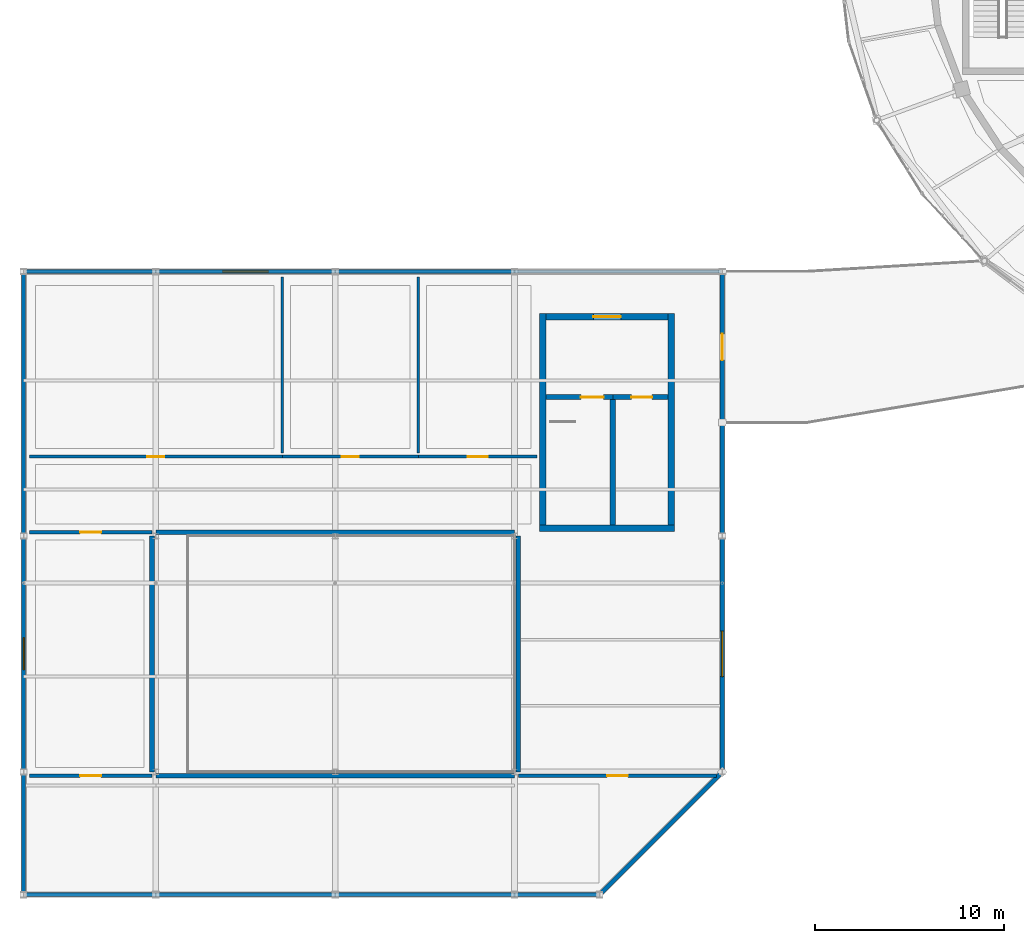
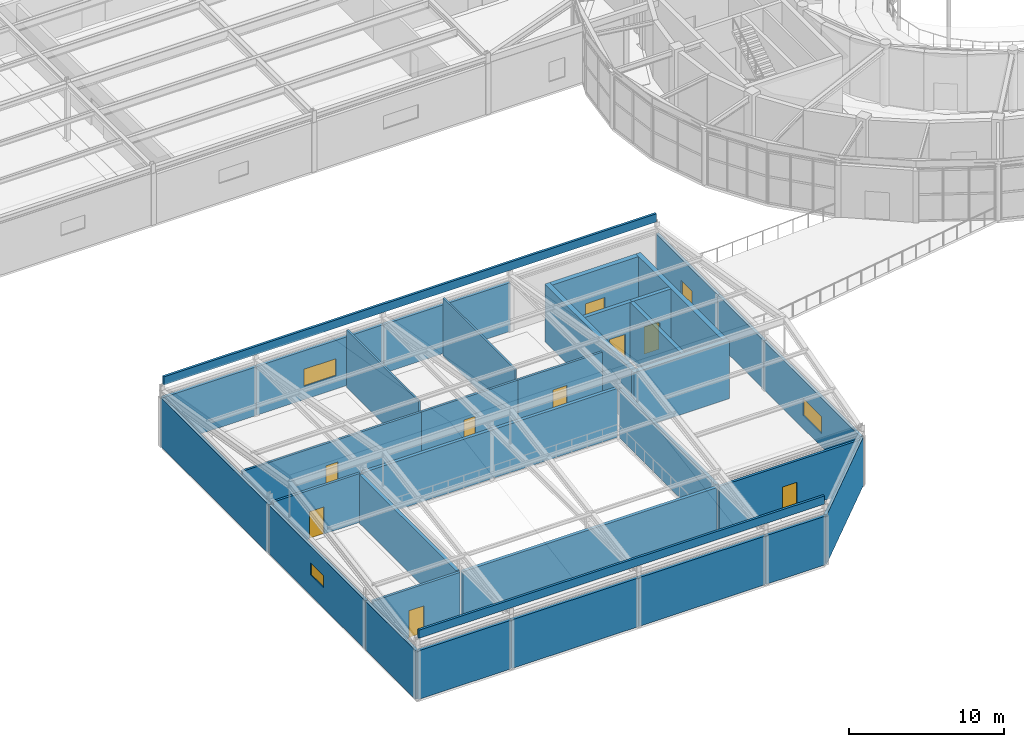
# One storey, part 87 of 108: 35 walls, 10 doors, 3 windows, 13 openings.
"""IFC4 building model written with IfcOpenShell, lengths in metres."""

from ifc_helpers import new_model, si_unit, direction, frame, frame_2d, origin, place, context, subcontext, project, spatial, rectangle, extrude, material, layer, layer_set, type_object, element, fill, save


model = new_model("IFC4")

# Units and contexts
model_context = context("Model", 3, precision=1e-05, world=origin(), true_north=direction((0.0, 1.0)))
body_context = subcontext(model_context, "Body", "Model", "MODEL_VIEW")
ifc_project = project(units=[si_unit("LENGTHUNIT", "METRE"), si_unit("AREAUNIT", "SQUARE_METRE"), si_unit("VOLUMEUNIT", "CUBIC_METRE"), si_unit("PLANEANGLEUNIT", "RADIAN"), si_unit("MASSUNIT", "GRAM", prefix="KILO")], contexts=[model_context])

# Site, building, storey
site_placement = place(None, origin())
site = spatial("IfcSite", under=ifc_project, at=site_placement, CompositionType="ELEMENT")
building_placement = place(site_placement, origin())
building = spatial("IfcBuilding", under=site, at=building_placement, Name="Tarnveldt Headland Concert Hall", CompositionType="ELEMENT")
storey_placement = place(building_placement, frame((0.0, 0.0, 9.60009765625)))
storey = spatial("IfcBuildingStorey", under=building, at=storey_placement, Name="L02", CompositionType="ELEMENT", Elevation=9.60009765625)

# Wall
ifc_material_1 = material(Name="Concrete C40/50", Category="concrete")
ifc_layer_1 = layer(ifc_material_1, 0.35009765625, Name="Concrete C40/50", Category="concrete")
ifc_layer_set_1 = layer_set([ifc_layer_1], Name="Concrete C40/50")
wall_type_1 = type_object("IfcWallType", Name="WL-CR350", PredefinedType="SHEAR", material=ifc_layer_set_1)
wall_1_placement = place(storey_placement, frame((34.824951171875, 24.39990234375, 0.0), z_axis=(0.0, 0.0, 1.0), x_axis=(1.0, 0.0, 0.0)))
element("IfcWall", 1, at=wall_1_placement, inside=storey, type_object=wall_type_1, Name="Core C5 south shear wall L02", PredefinedType="SHEAR", context=body_context, shape_type="SweptSolid", body=[
    extrude(rectangle(XDim=7.150146484375, YDim=0.35009765625, at=frame_2d((3.5751953125, 0.0))), origin(), (0.0, 0.0, 1.0), 4.5498046875),
])

# Wall, opening, door
wall_2_placement = place(storey_placement, frame((35.175048828125, 35.60009765625, 0.0), z_axis=(0.0, 0.0, 1.0), x_axis=(1.0, 0.0, 0.0)))
wall_2 = element("IfcWall", 2, at=wall_2_placement, inside=storey, type_object=wall_type_1, Name="Core C5 north shear wall L02", PredefinedType="SHEAR", context=body_context, shape_type="SweptSolid", body=[
    extrude(rectangle(XDim=6.449951171875, YDim=0.35009765625, at=frame_2d((3.22509765625, 0.0))), origin(), (0.0, 0.0, 1.0), 4.5498046875),
])
opening_1_placement = place(wall_2_placement, frame((2.5, 0.0, 0.0)))
opening_1 = element("IfcOpeningElement", 3, at=opening_1_placement, cuts=wall_2, Name="Opening LBD-C5-L02", PredefinedType="OPENING", context=body_context, shape_type="SweptSolid", body=[
    extrude(rectangle(XDim=1.449951171875, YDim=2.199951171875, at=frame_2d((0.72509765625, 1.10009765625))), frame((0.0, 0.18505859375, 0.0), z_axis=(0.0, -1.0, 0.0), x_axis=(1.0, 0.0, 0.0)), (0.0, 0.0, 1.0), 0.3701171875),
])
ifc_material_2 = material(Name="Galvanised painted steel sheet", Category="steel")
door_type_1 = type_object("IfcDoorType", Name="DR-LB145", OperationType="NOTDEFINED", PredefinedType="DOOR", material=ifc_material_2)
door_1_placement = place(opening_1_placement, origin())
door_1 = element("IfcDoor", 4, at=door_1_placement, inside=storey, type_object=door_type_1, Name="Core C5 lobby entrance door L02", OperationType="SINGLE_SWING_LEFT", OverallHeight=2.199951171875, OverallWidth=1.449951171875, PredefinedType="DOOR", context=body_context, shape_type="SweptSolid", body=[
    extrude(rectangle(XDim=1.449951171875, YDim=2.199951171875, at=frame_2d((0.72509765625, 1.10009765625))), frame((0.0, 0.02490234375, 0.0), z_axis=(0.0, -1.0, 0.0), x_axis=(1.0, 0.0, 0.0)), (0.0, 0.0, 1.0), 0.050048828125),
])
fill(opening_1, door_1)

# Walls
for number, where, z_axis, x_axis, name in (
    (5, (35.0, 24.574951171875, 0.0), (0.0, 0.0, 1.0), (0.0, 1.0, 0.0), "Core C5 west shear wall L02"),
    (6, (41.800048828125, 24.574951171875, 0.0), (0.0, 0.0, 1.0), (0.0, 1.0, 0.0), "Core C5 east shear wall L02"),
):
    element("IfcWall", number, at=place(storey_placement, frame(where, z_axis=z_axis, x_axis=x_axis)), inside=storey, type_object=wall_type_1, Name=name, PredefinedType="SHEAR", context=body_context, shape_type="SweptSolid", body=[
        extrude(rectangle(XDim=11.199951171875, YDim=0.35009765625, at=frame_2d((5.60009765625, 0.0))), origin(), (0.0, 0.0, 1.0), 4.5498046875),
    ])
ifc_material_3 = material(Name="Coral-toned precast concrete C40/50", Category="concrete")
ifc_layer_2 = layer(ifc_material_3, 0.219970703125, Name="Coral-toned precast concrete C40/50", Category="concrete")
ifc_layer_set_2 = layer_set([ifc_layer_2], Name="Coral-toned precast concrete C40/50")
wall_type_2 = type_object("IfcWallType", Name="WL-EX220", PredefinedType="SOLIDWALL", material=ifc_layer_set_2)
wall_3_placement = place(storey_placement, frame((14.47998046875, 5.0, 0.0), z_axis=(0.0, 0.0, 1.0), x_axis=(-1.0, 0.0, 0.0)))
element("IfcWall", 7, at=wall_3_placement, inside=storey, type_object=wall_type_2, Name="External precast wall L02-226", PredefinedType="SOLIDWALL", context=body_context, shape_type="SweptSolid", body=[
    extrude(rectangle(XDim=6.9599609375, YDim=0.219970703125, at=frame_2d((3.47998046875, 0.0))), origin(), (0.0, 0.0, 1.0), 3.847900390625),
])
for number, where, z_axis, x_axis, name in (
    (8, (23.97998046875, 5.0, 0.0), (0.0, 0.0, 1.0), (-1.0, 0.0, 0.0), "External precast wall L02-227"),
    (9, (33.47998046875, 5.0, 0.0), (0.0, 0.0, 1.0), (-1.0, 0.0, 0.0), "External precast wall L02-228"),
):
    element("IfcWall", number, at=place(storey_placement, frame(where, z_axis=z_axis, x_axis=x_axis)), inside=storey, type_object=wall_type_2, Name=name, PredefinedType="SOLIDWALL", context=body_context, shape_type="SweptSolid", body=[
        extrude(rectangle(XDim=9.4599609375, YDim=0.219970703125, at=frame_2d((4.72998046875, 0.0))), origin(), (0.0, 0.0, 1.0), 3.847900390625),
    ])
wall_4_placement = place(storey_placement, frame((37.97998046875, 5.0, 0.0), z_axis=(0.0, 0.0, 1.0), x_axis=(-1.0, 0.0, 0.0)))
element("IfcWall", 10, at=wall_4_placement, inside=storey, type_object=wall_type_2, Name="External precast wall L02-229", PredefinedType="SOLIDWALL", context=body_context, shape_type="SweptSolid", body=[
    extrude(rectangle(XDim=4.4599609375, YDim=0.219970703125, at=frame_2d((2.22998046875, 0.0))), origin(), (0.0, 0.0, 1.0), 3.847900390625),
])
wall_5_placement = place(storey_placement, frame((44.48583984375, 11.48583984375, 0.0), z_axis=(0.0, 0.0, 1.0), x_axis=(-0.707106781187, -0.707106781187, 0.0)))
element("IfcWall", 11, at=wall_5_placement, inside=storey, type_object=wall_type_2, Name="External precast wall L02-230", PredefinedType="SOLIDWALL", context=body_context, shape_type="SweptSolid", body=[
    extrude(rectangle(XDim=9.15234375, YDim=0.219970703125, at=frame_2d((4.576171875, 0.0))), origin(), (0.0, 0.0, 1.0), 3.847900390625),
])

# Wall, opening, window
wall_6_placement = place(storey_placement, frame((44.5, 23.97998046875, 0.0), z_axis=(0.0, 0.0, 1.0), x_axis=(0.0, -1.0, 0.0)))
wall_6 = element("IfcWall", 12, at=wall_6_placement, inside=storey, type_object=wall_type_2, Name="External precast wall L02-231", PredefinedType="SOLIDWALL", context=body_context, shape_type="SweptSolid", body=[
    extrude(rectangle(XDim=12.4599609375, YDim=0.219970703125, at=frame_2d((6.22998046875, 0.0))), origin(), (0.0, 0.0, 1.0), 3.847900390625),
])
opening_2_placement = place(wall_6_placement, frame((5.030029296875, 0.0, 1.050048828125)))
opening_2 = element("IfcOpeningElement", 13, at=opening_2_placement, cuts=wall_6, Name="Opening W-P103", PredefinedType="OPENING", context=body_context, shape_type="SweptSolid", body=[
    extrude(rectangle(XDim=2.39990234375, YDim=1.35009765625, at=frame_2d((1.199951171875, 0.675048828125))), frame((0.0, 0.119873046875, 0.0), z_axis=(0.0, -1.0, 0.0), x_axis=(1.0, 0.0, 0.0)), (0.0, 0.0, 1.0), 0.239990234375),
])
ifc_material_4 = material(Name="Acoustic laminated low-iron double glazing", Category="glass")
window_type_1 = type_object("IfcWindowType", Name="WN-20", PartitioningType="SINGLE_PANEL", PredefinedType="WINDOW", material=ifc_material_4)
window_1_placement = place(opening_2_placement, origin())
window_1 = element("IfcWindow", 14, at=window_1_placement, inside=storey, type_object=window_type_1, Name="Chamber pavilion window L02-E2", OverallHeight=1.35009765625, OverallWidth=2.39990234375, PartitioningType="SINGLE_PANEL", PredefinedType="WINDOW", context=body_context, shape_type="SweptSolid", body=[
    extrude(rectangle(XDim=2.39990234375, YDim=1.35009765625, at=frame_2d((1.199951171875, 0.675048828125))), frame((0.0, 0.030029296875, 0.0), z_axis=(0.0, -1.0, 0.0), x_axis=(1.0, 0.0, 0.0)), (0.0, 0.0, 1.0), 0.06005859375),
])
fill(opening_2, window_1)

# Wall
wall_7_placement = place(storey_placement, frame((44.5, 29.97998046875, 0.0), z_axis=(0.0, 0.0, 1.0), x_axis=(0.0, -1.0, 0.0)))
element("IfcWall", 15, at=wall_7_placement, inside=storey, type_object=wall_type_2, Name="External precast wall L02-232", PredefinedType="SOLIDWALL", context=body_context, shape_type="SweptSolid", body=[
    extrude(rectangle(XDim=5.9599609375, YDim=0.219970703125, at=frame_2d((2.97998046875, 0.0))), origin(), (0.0, 0.0, 1.0), 3.847900390625),
])

# Wall, opening, door
wall_8_placement = place(storey_placement, frame((44.5, 37.97998046875, 0.0), z_axis=(0.0, 0.0, 1.0), x_axis=(0.0, -1.0, 0.0)))
wall_8 = element("IfcWall", 16, at=wall_8_placement, inside=storey, type_object=wall_type_2, Name="External precast wall L02-233", PredefinedType="SOLIDWALL", context=body_context, shape_type="SweptSolid", body=[
    extrude(rectangle(XDim=7.9599609375, YDim=0.219970703125, at=frame_2d((3.97998046875, 0.0))), origin(), (0.0, 0.0, 1.0), 3.847900390625),
])
opening_3_placement = place(wall_8_placement, frame((3.280029296875, 0.0, 0.0)))
opening_3 = element("IfcOpeningElement", 17, at=opening_3_placement, cuts=wall_8, Name="Opening TD-04", PredefinedType="OPENING", context=body_context, shape_type="SweptSolid", body=[
    extrude(rectangle(XDim=1.39990234375, YDim=2.14990234375, at=frame_2d((0.699951171875, 1.074951171875))), frame((0.0, 0.119873046875, 0.0), z_axis=(0.0, -1.0, 0.0), x_axis=(1.0, 0.0, 0.0)), (0.0, 0.0, 1.0), 0.239990234375),
])
ifc_material_5 = material(Name="Marine-anodised aluminium EN AW-6063-T6", Category="aluminium")
door_type_2 = type_object("IfcDoorType", Name="DR-TR140", OperationType="NOTDEFINED", PredefinedType="DOOR", material=ifc_material_5)
door_2_placement = place(opening_3_placement, origin())
door_2 = element("IfcDoor", 18, at=door_2_placement, inside=storey, type_object=door_type_2, Name="Chamber link terrace west door", OperationType="SINGLE_SWING_RIGHT", OverallHeight=2.14990234375, OverallWidth=1.39990234375, PredefinedType="DOOR", context=body_context, shape_type="SweptSolid", body=[
    extrude(rectangle(XDim=1.39990234375, YDim=2.14990234375, at=frame_2d((0.699951171875, 1.074951171875))), frame((0.0, 0.02490234375, 0.0), z_axis=(0.0, -1.0, 0.0), x_axis=(1.0, 0.0, 0.0)), (0.0, 0.0, 1.0), 0.050048828125),
])
fill(opening_3, door_2)

# Wall
wall_9_placement = place(storey_placement, frame((24.02001953125, 38.0, 0.0), z_axis=(0.0, 0.0, 1.0), x_axis=(1.0, 0.0, 0.0)))
element("IfcWall", 19, at=wall_9_placement, inside=storey, type_object=wall_type_2, Name="External precast wall L02-235", PredefinedType="SOLIDWALL", context=body_context, shape_type="SweptSolid", body=[
    extrude(rectangle(XDim=9.4599609375, YDim=0.219970703125, at=frame_2d((4.72998046875, 0.0))), origin(), (0.0, 0.0, 1.0), 3.847900390625),
])

# Wall, opening, window
wall_10_placement = place(storey_placement, frame((14.52001953125, 38.0, 0.0), z_axis=(0.0, 0.0, 1.0), x_axis=(1.0, 0.0, 0.0)))
wall_10 = element("IfcWall", 20, at=wall_10_placement, inside=storey, type_object=wall_type_2, Name="External precast wall L02-236", PredefinedType="SOLIDWALL", context=body_context, shape_type="SweptSolid", body=[
    extrude(rectangle(XDim=9.4599609375, YDim=0.219970703125, at=frame_2d((4.72998046875, 0.0))), origin(), (0.0, 0.0, 1.0), 3.847900390625),
])
opening_4_placement = place(wall_10_placement, frame((3.530029296875, 0.0, 1.050048828125)))
opening_4 = element("IfcOpeningElement", 21, at=opening_4_placement, cuts=wall_10, Name="Opening W-P104", PredefinedType="OPENING", context=body_context, shape_type="SweptSolid", body=[
    extrude(rectangle(XDim=2.39990234375, YDim=1.35009765625, at=frame_2d((1.199951171875, 0.675048828125))), frame((0.0, 0.119873046875, 0.0), z_axis=(0.0, -1.0, 0.0), x_axis=(1.0, 0.0, 0.0)), (0.0, 0.0, 1.0), 0.239990234375),
])
window_2_placement = place(opening_4_placement, origin())
window_2 = element("IfcWindow", 22, at=window_2_placement, inside=storey, type_object=window_type_1, Name="Chamber pavilion window L02-N3", OverallHeight=1.35009765625, OverallWidth=2.39990234375, PartitioningType="SINGLE_PANEL", PredefinedType="WINDOW", context=body_context, shape_type="SweptSolid", body=[
    extrude(rectangle(XDim=2.39990234375, YDim=1.35009765625, at=frame_2d((1.199951171875, 0.675048828125))), frame((0.0, 0.030029296875, 0.0), z_axis=(0.0, -1.0, 0.0), x_axis=(1.0, 0.0, 0.0)), (0.0, 0.0, 1.0), 0.06005859375),
])
fill(opening_4, window_2)

# Walls
wall_11_placement = place(storey_placement, frame((7.52001953125, 38.0, 0.0), z_axis=(0.0, 0.0, 1.0), x_axis=(1.0, 0.0, 0.0)))
element("IfcWall", 23, at=wall_11_placement, inside=storey, type_object=wall_type_2, Name="External precast wall L02-237", PredefinedType="SOLIDWALL", context=body_context, shape_type="SweptSolid", body=[
    extrude(rectangle(XDim=6.9599609375, YDim=0.219970703125, at=frame_2d((3.47998046875, 0.0))), origin(), (0.0, 0.0, 1.0), 3.847900390625),
])
wall_12_placement = place(storey_placement, frame((7.5, 24.02001953125, 0.0), z_axis=(0.0, 0.0, 1.0), x_axis=(0.0, 1.0, 0.0)))
element("IfcWall", 24, at=wall_12_placement, inside=storey, type_object=wall_type_2, Name="External precast wall L02-238", PredefinedType="SOLIDWALL", context=body_context, shape_type="SweptSolid", body=[
    extrude(rectangle(XDim=13.9599609375, YDim=0.219970703125, at=frame_2d((6.97998046875, 0.0))), origin(), (0.0, 0.0, 1.0), 3.847900390625),
])

# Wall, opening, window
wall_13_placement = place(storey_placement, frame((7.5, 11.52001953125, 0.0), z_axis=(0.0, 0.0, 1.0), x_axis=(0.0, 1.0, 0.0)))
wall_13 = element("IfcWall", 25, at=wall_13_placement, inside=storey, type_object=wall_type_2, Name="External precast wall L02-239", PredefinedType="SOLIDWALL", context=body_context, shape_type="SweptSolid", body=[
    extrude(rectangle(XDim=12.4599609375, YDim=0.219970703125, at=frame_2d((6.22998046875, 0.0))), origin(), (0.0, 0.0, 1.0), 3.847900390625),
])
opening_5_placement = place(wall_13_placement, frame((5.3798828125, 0.0, 1.60009765625)))
opening_5 = element("IfcOpeningElement", 26, at=opening_5_placement, cuts=wall_13, Name="Opening W-P105", PredefinedType="OPENING", context=body_context, shape_type="SweptSolid", body=[
    extrude(rectangle(XDim=1.699951171875, YDim=0.949951171875, at=frame_2d((0.85009765625, 0.47509765625))), frame((0.0, 0.119873046875, 0.0), z_axis=(0.0, -1.0, 0.0), x_axis=(1.0, 0.0, 0.0)), (0.0, 0.0, 1.0), 0.239990234375),
])
window_type_2 = type_object("IfcWindowType", Name="WN-31", PartitioningType="SINGLE_PANEL", PredefinedType="WINDOW", material=ifc_material_4)
window_3_placement = place(opening_5_placement, origin())
window_3 = element("IfcWindow", 27, at=window_3_placement, inside=storey, type_object=window_type_2, Name="Chamber pavilion window L02-W2", OverallHeight=0.949951171875, OverallWidth=1.699951171875, PartitioningType="SINGLE_PANEL", PredefinedType="WINDOW", context=body_context, shape_type="SweptSolid", body=[
    extrude(rectangle(XDim=1.699951171875, YDim=0.949951171875, at=frame_2d((0.85009765625, 0.47509765625))), frame((0.0, 0.030029296875, 0.0), z_axis=(0.0, -1.0, 0.0), x_axis=(1.0, 0.0, 0.0)), (0.0, 0.0, 1.0), 0.06005859375),
])
fill(opening_5, window_3)

# Walls
wall_14_placement = place(storey_placement, frame((7.5, 5.02001953125, 0.0), z_axis=(0.0, 0.0, 1.0), x_axis=(0.0, 1.0, 0.0)))
element("IfcWall", 28, at=wall_14_placement, inside=storey, type_object=wall_type_2, Name="External precast wall L02-240", PredefinedType="SOLIDWALL", context=body_context, shape_type="SweptSolid", body=[
    extrude(rectangle(XDim=6.4599609375, YDim=0.219970703125, at=frame_2d((3.22998046875, 0.0))), origin(), (0.0, 0.0, 1.0), 3.847900390625),
])
ifc_layer_3 = layer(ifc_material_3, 0.179931640625, Name="Coral-toned precast concrete C40/50", Category="concrete")
ifc_layer_set_3 = layer_set([ifc_layer_3], Name="Coral-toned precast concrete C40/50")
wall_type_3 = type_object("IfcWallType", Name="WL-PR180", PredefinedType="PARAPET", material=ifc_layer_set_3)
wall_15_placement = place(storey_placement, frame((7.60009765625, 5.0, 4.7998046875), z_axis=(0.0, 0.0, 1.0), x_axis=(1.0, 0.0, 0.0)))
element("IfcWall", 29, at=wall_15_placement, inside=storey, type_object=wall_type_3, Name="Roof eaves parapet 1", PredefinedType="PARAPET", context=body_context, shape_type="SweptSolid", body=[
    extrude(rectangle(XDim=30.2998046875, YDim=0.179931640625, at=frame_2d((15.14990234375, 0.0))), origin(), (0.0, 0.0, 1.0), 0.650146484375),
])
wall_16_placement = place(storey_placement, frame((7.60009765625, 38.0, 4.7998046875), z_axis=(0.0, 0.0, 1.0), x_axis=(1.0, 0.0, 0.0)))
element("IfcWall", 30, at=wall_16_placement, inside=storey, type_object=wall_type_3, Name="Roof eaves parapet 2", PredefinedType="PARAPET", context=body_context, shape_type="SweptSolid", body=[
    extrude(rectangle(XDim=36.7998046875, YDim=0.179931640625, at=frame_2d((18.39990234375, 0.0))), origin(), (0.0, 0.0, 1.0), 0.650146484375),
])
ifc_material_6 = material(Name="Acoustic multi-layer gypsum and mineral-wool partition", Category="gypsum")
ifc_layer_4 = layer(ifc_material_6, 0.135009765625, Name="Acoustic multi-layer gypsum and mineral-wool partition", Category="gypsum")
ifc_layer_set_4 = layer_set([ifc_layer_4], Name="Acoustic multi-layer gypsum and mineral-wool partition")
wall_type_4 = type_object("IfcWallType", Name="WL-PT135", PredefinedType="PARTITIONING", material=ifc_layer_set_4)
for number, where, z_axis, x_axis, name in (
    (31, (21.199951171875, 28.39990234375, 0.0), (0.0, 0.0, 1.0), (0.0, 1.0, 0.0), "Interior acoustic partition L02-45"),
    (32, (28.39990234375, 28.39990234375, 0.0), (0.0, 0.0, 1.0), (0.0, 1.0, 0.0), "Interior acoustic partition L02-46"),
):
    element("IfcWall", number, at=place(storey_placement, frame(where, z_axis=z_axis, x_axis=x_axis)), inside=storey, type_object=wall_type_4, Name=name, PredefinedType="PARTITIONING", context=body_context, shape_type="SweptSolid", body=[
        extrude(rectangle(XDim=9.300048828125, YDim=0.135009765625, at=frame_2d((4.64990234375, 0.0))), origin(), (0.0, 0.0, 1.0), 4.5439453125),
    ])

# Wall, opening, door
ifc_layer_5 = layer(ifc_material_6, 0.1650390625, Name="Acoustic multi-layer gypsum and mineral-wool partition", Category="gypsum")
ifc_layer_set_5 = layer_set([ifc_layer_5], Name="Acoustic multi-layer gypsum and mineral-wool partition")
wall_type_5 = type_object("IfcWallType", Name="WL-PT165", PredefinedType="PARTITIONING", material=ifc_layer_set_5)
wall_17_placement = place(storey_placement, frame((7.800048828125, 28.199951171875, 0.0), z_axis=(0.0, 0.0, 1.0), x_axis=(1.0, 0.0, 0.0)))
wall_17 = element("IfcWall", 33, at=wall_17_placement, inside=storey, type_object=wall_type_5, Name="Interior acoustic partition L02-42", PredefinedType="PARTITIONING", context=body_context, shape_type="SweptSolid", body=[
    extrude(rectangle(XDim=13.39990234375, YDim=0.1650390625, at=frame_2d((6.699951171875, 0.0))), origin(), (0.0, 0.0, 1.0), 3.849853515625),
])
opening_6_placement = place(wall_17_placement, frame((6.239990234375, 0.0, 0.0)))
opening_6 = element("IfcOpeningElement", 34, at=opening_6_placement, cuts=wall_17, Name="Opening D-L02-072", PredefinedType="OPENING", context=body_context, shape_type="SweptSolid", body=[
    extrude(rectangle(XDim=0.919921875, YDim=2.10009765625, at=frame_2d((0.4599609375, 1.050048828125))), frame((0.0, 0.092529296875, 0.0), z_axis=(0.0, -1.0, 0.0), x_axis=(1.0, 0.0, 0.0)), (0.0, 0.0, 1.0), 0.18505859375),
])
ifc_material_7 = material(Name="Treated East African mvule hardwood", Category="wood")
door_type_3 = type_object("IfcDoorType", Name="DR-WC092", OperationType="NOTDEFINED", PredefinedType="DOOR", material=ifc_material_7)
door_3_placement = place(opening_6_placement, origin())
door_3 = element("IfcDoor", 35, at=door_3_placement, inside=storey, type_object=door_type_3, Name="Interior room door L02-72", OperationType="SINGLE_SWING_RIGHT", OverallHeight=2.10009765625, OverallWidth=0.919921875, PredefinedType="DOOR", context=body_context, shape_type="SweptSolid", body=[
    extrude(rectangle(XDim=0.919921875, YDim=2.10009765625, at=frame_2d((0.4599609375, 1.050048828125))), frame((0.0, 0.02490234375, 0.0), z_axis=(0.0, -1.0, 0.0), x_axis=(1.0, 0.0, 0.0)), (0.0, 0.0, 1.0), 0.050048828125),
])
fill(opening_6, door_3)

wall_18_placement = place(storey_placement, frame((21.199951171875, 28.199951171875, 0.0), z_axis=(0.0, 0.0, 1.0), x_axis=(1.0, 0.0, 0.0)))
wall_18 = element("IfcWall", 36, at=wall_18_placement, inside=storey, type_object=wall_type_5, Name="Interior acoustic partition L02-43", PredefinedType="PARTITIONING", context=body_context, shape_type="SweptSolid", body=[
    extrude(rectangle(XDim=7.199951171875, YDim=0.1650390625, at=frame_2d((3.60009765625, 0.0))), origin(), (0.0, 0.0, 1.0), 3.849853515625),
])
opening_7_placement = place(wall_18_placement, frame((3.159912109375, 0.0, 0.0)))
opening_7 = element("IfcOpeningElement", 37, at=opening_7_placement, cuts=wall_18, Name="Opening D-L02-073", PredefinedType="OPENING", context=body_context, shape_type="SweptSolid", body=[
    extrude(rectangle(XDim=0.8798828125, YDim=2.10009765625, at=frame_2d((0.43994140625, 1.050048828125))), frame((0.0, 0.092529296875, 0.0), z_axis=(0.0, -1.0, 0.0), x_axis=(1.0, 0.0, 0.0)), (0.0, 0.0, 1.0), 0.18505859375),
])
door_type_4 = type_object("IfcDoorType", Name="DR-WC088", OperationType="NOTDEFINED", PredefinedType="DOOR", material=ifc_material_7)
door_4_placement = place(opening_7_placement, origin())
door_4 = element("IfcDoor", 38, at=door_4_placement, inside=storey, type_object=door_type_4, Name="Interior room door L02-73", OperationType="SINGLE_SWING_LEFT", OverallHeight=2.10009765625, OverallWidth=0.8798828125, PredefinedType="DOOR", context=body_context, shape_type="SweptSolid", body=[
    extrude(rectangle(XDim=0.8798828125, YDim=2.10009765625, at=frame_2d((0.43994140625, 1.050048828125))), frame((0.0, 0.02490234375, 0.0), z_axis=(0.0, -1.0, 0.0), x_axis=(1.0, 0.0, 0.0)), (0.0, 0.0, 1.0), 0.050048828125),
])
fill(opening_7, door_4)

wall_19_placement = place(storey_placement, frame((28.39990234375, 28.199951171875, 0.0), z_axis=(0.0, 0.0, 1.0), x_axis=(1.0, 0.0, 0.0)))
wall_19 = element("IfcWall", 39, at=wall_19_placement, inside=storey, type_object=wall_type_5, Name="Interior acoustic partition L02-44", PredefinedType="PARTITIONING", context=body_context, shape_type="SweptSolid", body=[
    extrude(rectangle(XDim=6.300048828125, YDim=0.1650390625, at=frame_2d((3.14990234375, 0.0))), origin(), (0.0, 0.0, 1.0), 3.849853515625),
])
opening_8_placement = place(wall_19_placement, frame((2.625, 0.0, 0.0)))
opening_8 = element("IfcOpeningElement", 40, at=opening_8_placement, cuts=wall_19, Name="Opening D-L02-074", PredefinedType="OPENING", context=body_context, shape_type="SweptSolid", body=[
    extrude(rectangle(XDim=1.050048828125, YDim=2.14990234375, at=frame_2d((0.52490234375, 1.074951171875))), frame((0.0, 0.092529296875, 0.0), z_axis=(0.0, -1.0, 0.0), x_axis=(1.0, 0.0, 0.0)), (0.0, 0.0, 1.0), 0.18505859375),
])
door_type_5 = type_object("IfcDoorType", Name="DR-RM105", OperationType="NOTDEFINED", PredefinedType="DOOR", material=ifc_material_7)
door_5_placement = place(opening_8_placement, origin())
door_5 = element("IfcDoor", 41, at=door_5_placement, inside=storey, type_object=door_type_5, Name="Interior room door L02-74", OperationType="SINGLE_SWING_RIGHT", OverallHeight=2.14990234375, OverallWidth=1.050048828125, PredefinedType="DOOR", context=body_context, shape_type="SweptSolid", body=[
    extrude(rectangle(XDim=1.050048828125, YDim=2.14990234375, at=frame_2d((0.52490234375, 1.074951171875))), frame((0.0, 0.02490234375, 0.0), z_axis=(0.0, -1.0, 0.0), x_axis=(1.0, 0.0, 0.0)), (0.0, 0.0, 1.0), 0.050048828125),
])
fill(opening_8, door_5)

ifc_layer_6 = layer(ifc_material_6, 0.18505859375, Name="Acoustic multi-layer gypsum and mineral-wool partition", Category="gypsum")
ifc_layer_set_6 = layer_set([ifc_layer_6], Name="Acoustic multi-layer gypsum and mineral-wool partition")
wall_type_6 = type_object("IfcWallType", Name="WL-PT185", PredefinedType="PARTITIONING", material=ifc_layer_set_6)
wall_20_placement = place(storey_placement, frame((7.800048828125, 11.300048828125, 0.0), z_axis=(0.0, 0.0, 1.0), x_axis=(1.0, 0.0, 0.0)))
wall_20 = element("IfcWall", 42, at=wall_20_placement, inside=storey, type_object=wall_type_6, Name="Interior acoustic partition L02-35", PredefinedType="PARTITIONING", context=body_context, shape_type="SweptSolid", body=[
    extrude(rectangle(XDim=6.5, YDim=0.18505859375, at=frame_2d((3.25, 0.0))), origin(), (0.0, 0.0, 1.0), 3.849853515625),
])
opening_9_placement = place(wall_20_placement, frame((2.699951171875, 0.0, 0.0)))
opening_9 = element("IfcOpeningElement", 43, at=opening_9_placement, cuts=wall_20, Name="Opening D-L02-069", PredefinedType="OPENING", context=body_context, shape_type="SweptSolid", body=[
    extrude(rectangle(XDim=1.10009765625, YDim=2.14990234375, at=frame_2d((0.550048828125, 1.074951171875))), frame((0.0, 0.1025390625, 0.0), z_axis=(0.0, -1.0, 0.0), x_axis=(1.0, 0.0, 0.0)), (0.0, 0.0, 1.0), 0.205078125),
])
door_type_6 = type_object("IfcDoorType", Name="DR-RM110", OperationType="NOTDEFINED", PredefinedType="DOOR", material=ifc_material_7)
door_6_placement = place(opening_9_placement, origin())
door_6 = element("IfcDoor", 44, at=door_6_placement, inside=storey, type_object=door_type_6, Name="Interior room door L02-69", OperationType="SINGLE_SWING_LEFT", OverallHeight=2.14990234375, OverallWidth=1.10009765625, PredefinedType="DOOR", context=body_context, shape_type="SweptSolid", body=[
    extrude(rectangle(XDim=1.10009765625, YDim=2.14990234375, at=frame_2d((0.550048828125, 1.074951171875))), frame((0.0, 0.02490234375, 0.0), z_axis=(0.0, -1.0, 0.0), x_axis=(1.0, 0.0, 0.0)), (0.0, 0.0, 1.0), 0.050048828125),
])
fill(opening_9, door_6)

wall_21_placement = place(storey_placement, frame((33.699951171875, 11.300048828125, 0.0), z_axis=(0.0, 0.0, 1.0), x_axis=(1.0, 0.0, 0.0)))
wall_21 = element("IfcWall", 45, at=wall_21_placement, inside=storey, type_object=wall_type_6, Name="Interior acoustic partition L02-37", PredefinedType="PARTITIONING", context=body_context, shape_type="SweptSolid", body=[
    extrude(rectangle(XDim=10.5, YDim=0.18505859375, at=frame_2d((5.25, 0.0))), origin(), (0.0, 0.0, 1.0), 3.849853515625),
])
opening_10_placement = place(wall_21_placement, frame((4.699951171875, 0.0, 0.0)))
opening_10 = element("IfcOpeningElement", 46, at=opening_10_placement, cuts=wall_21, Name="Opening D-L02-070", PredefinedType="OPENING", context=body_context, shape_type="SweptSolid", body=[
    extrude(rectangle(XDim=1.10009765625, YDim=2.14990234375, at=frame_2d((0.550048828125, 1.074951171875))), frame((0.0, 0.1025390625, 0.0), z_axis=(0.0, -1.0, 0.0), x_axis=(1.0, 0.0, 0.0)), (0.0, 0.0, 1.0), 0.205078125),
])
door_7_placement = place(opening_10_placement, origin())
door_7 = element("IfcDoor", 47, at=door_7_placement, inside=storey, type_object=door_type_6, Name="Interior room door L02-70", OperationType="SINGLE_SWING_RIGHT", OverallHeight=2.14990234375, OverallWidth=1.10009765625, PredefinedType="DOOR", context=body_context, shape_type="SweptSolid", body=[
    extrude(rectangle(XDim=1.10009765625, YDim=2.14990234375, at=frame_2d((0.550048828125, 1.074951171875))), frame((0.0, 0.02490234375, 0.0), z_axis=(0.0, -1.0, 0.0), x_axis=(1.0, 0.0, 0.0)), (0.0, 0.0, 1.0), 0.050048828125),
])
fill(opening_10, door_7)

wall_22_placement = place(storey_placement, frame((7.800048828125, 24.199951171875, 0.0), z_axis=(0.0, 0.0, 1.0), x_axis=(1.0, 0.0, 0.0)))
wall_22 = element("IfcWall", 48, at=wall_22_placement, inside=storey, type_object=wall_type_6, Name="Interior acoustic partition L02-40", PredefinedType="PARTITIONING", context=body_context, shape_type="SweptSolid", body=[
    extrude(rectangle(XDim=6.5, YDim=0.18505859375, at=frame_2d((3.25, 0.0))), origin(), (0.0, 0.0, 1.0), 3.849853515625),
])
opening_11_placement = place(wall_22_placement, frame((2.699951171875, 0.0, 0.0)))
opening_11 = element("IfcOpeningElement", 49, at=opening_11_placement, cuts=wall_22, Name="Opening D-L02-071", PredefinedType="OPENING", context=body_context, shape_type="SweptSolid", body=[
    extrude(rectangle(XDim=1.10009765625, YDim=2.14990234375, at=frame_2d((0.550048828125, 1.074951171875))), frame((0.0, 0.1025390625, 0.0), z_axis=(0.0, -1.0, 0.0), x_axis=(1.0, 0.0, 0.0)), (0.0, 0.0, 1.0), 0.205078125),
])
door_8_placement = place(opening_11_placement, origin())
door_8 = element("IfcDoor", 50, at=door_8_placement, inside=storey, type_object=door_type_6, Name="Interior room door L02-71", OperationType="SINGLE_SWING_LEFT", OverallHeight=2.14990234375, OverallWidth=1.10009765625, PredefinedType="DOOR", context=body_context, shape_type="SweptSolid", body=[
    extrude(rectangle(XDim=1.10009765625, YDim=2.14990234375, at=frame_2d((0.550048828125, 1.074951171875))), frame((0.0, 0.02490234375, 0.0), z_axis=(0.0, -1.0, 0.0), x_axis=(1.0, 0.0, 0.0)), (0.0, 0.0, 1.0), 0.050048828125),
])
fill(opening_11, door_8)

# Walls
ifc_layer_7 = layer(ifc_material_6, 0.239990234375, Name="Acoustic multi-layer gypsum and mineral-wool partition", Category="gypsum")
ifc_layer_set_7 = layer_set([ifc_layer_7], Name="Acoustic multi-layer gypsum and mineral-wool partition")
wall_type_7 = type_object("IfcWallType", Name="WL-PT240", PredefinedType="PARTITIONING", material=ifc_layer_set_7)
wall_23_placement = place(storey_placement, frame((14.5, 11.300048828125, 0.0), z_axis=(0.0, 0.0, 1.0), x_axis=(1.0, 0.0, 0.0)))
element("IfcWall", 51, at=wall_23_placement, inside=storey, type_object=wall_type_7, Name="Interior acoustic partition L02-36", PredefinedType="PARTITIONING", context=body_context, shape_type="SweptSolid", body=[
    extrude(rectangle(XDim=19.0, YDim=0.239990234375, at=frame_2d((9.5, 0.0))), origin(), (0.0, 0.0, 1.0), 3.849853515625),
])
for number, where, z_axis, x_axis, name in (
    (52, (14.300048828125, 11.5, 0.0), (0.0, 0.0, 1.0), (0.0, 1.0, 0.0), "Interior acoustic partition L02-38"),
    (53, (33.699951171875, 11.5, 0.0), (0.0, 0.0, 1.0), (0.0, 1.0, 0.0), "Interior acoustic partition L02-39"),
):
    element("IfcWall", number, at=place(storey_placement, frame(where, z_axis=z_axis, x_axis=x_axis)), inside=storey, type_object=wall_type_7, Name=name, PredefinedType="PARTITIONING", context=body_context, shape_type="SweptSolid", body=[
        extrude(rectangle(XDim=12.5, YDim=0.239990234375, at=frame_2d((6.25, 0.0))), origin(), (0.0, 0.0, 1.0), 3.849853515625),
    ])
wall_24_placement = place(storey_placement, frame((14.5, 24.199951171875, 0.0), z_axis=(0.0, 0.0, 1.0), x_axis=(1.0, 0.0, 0.0)))
element("IfcWall", 54, at=wall_24_placement, inside=storey, type_object=wall_type_7, Name="Interior acoustic partition L02-41", PredefinedType="PARTITIONING", context=body_context, shape_type="SweptSolid", body=[
    extrude(rectangle(XDim=19.0, YDim=0.239990234375, at=frame_2d((9.5, 0.0))), origin(), (0.0, 0.0, 1.0), 3.849853515625),
])
ifc_layer_8 = layer(ifc_material_1, 0.27490234375, Name="Concrete C40/50", Category="concrete")
ifc_layer_set_8 = layer_set([ifc_layer_8], Name="Concrete C40/50")
wall_type_8 = type_object("IfcWallType", Name="WL-SH275", PredefinedType="SHEAR", material=ifc_layer_set_8)
wall_25_placement = place(storey_placement, frame((38.699951171875, 24.574951171875, 0.0), z_axis=(0.0, 0.0, 1.0), x_axis=(0.0, 1.0, 0.0)))
element("IfcWall", 55, at=wall_25_placement, inside=storey, type_object=wall_type_8, Name="Core C5 shaft divider wall L02", PredefinedType="SHEAR", context=body_context, shape_type="SweptSolid", body=[
    extrude(rectangle(XDim=6.637451171875, YDim=0.27490234375, at=frame_2d((3.31884765625, 0.0))), origin(), (0.0, 0.0, 1.0), 4.5498046875),
])

# Wall, opening, door
wall_26_placement = place(storey_placement, frame((35.175048828125, 31.35009765625, 0.0), z_axis=(0.0, 0.0, 1.0), x_axis=(1.0, 0.0, 0.0)))
wall_26 = element("IfcWall", 56, at=wall_26_placement, inside=storey, type_object=wall_type_8, Name="Core C5 stair enclosure wall L02", PredefinedType="SHEAR", context=body_context, shape_type="SweptSolid", body=[
    extrude(rectangle(XDim=3.52490234375, YDim=0.27490234375, at=frame_2d((1.762451171875, 0.0))), origin(), (0.0, 0.0, 1.0), 4.5498046875),
])
opening_12_placement = place(wall_26_placement, frame((1.8349609375, 0.0, 0.0)))
opening_12 = element("IfcOpeningElement", 57, at=opening_12_placement, cuts=wall_26, Name="Opening SD-C5-L02", PredefinedType="OPENING", context=body_context, shape_type="SweptSolid", body=[
    extrude(rectangle(XDim=1.199951171875, YDim=2.14990234375, at=frame_2d((0.60009765625, 1.074951171875))), frame((0.0, 0.1474609375, 0.0), z_axis=(0.0, -1.0, 0.0), x_axis=(1.0, 0.0, 0.0)), (0.0, 0.0, 1.0), 0.294921875),
])
door_type_7 = type_object("IfcDoorType", Name="DR-ST120", OperationType="NOTDEFINED", PredefinedType="DOOR", material=ifc_material_2)
door_9_placement = place(opening_12_placement, origin())
door_9 = element("IfcDoor", 58, at=door_9_placement, inside=storey, type_object=door_type_7, Name="Core C5 stair fire door L02", OperationType="SINGLE_SWING_RIGHT", OverallHeight=2.14990234375, OverallWidth=1.199951171875, PredefinedType="DOOR", context=body_context, shape_type="SweptSolid", body=[
    extrude(rectangle(XDim=1.199951171875, YDim=2.14990234375, at=frame_2d((0.60009765625, 1.074951171875))), frame((0.0, 0.02490234375, 0.0), z_axis=(0.0, -1.0, 0.0), x_axis=(1.0, 0.0, 0.0)), (0.0, 0.0, 1.0), 0.050048828125),
])
fill(opening_12, door_9)

wall_27_placement = place(storey_placement, frame((38.699951171875, 31.35009765625, 0.0), z_axis=(0.0, 0.0, 1.0), x_axis=(1.0, 0.0, 0.0)))
wall_27 = element("IfcWall", 59, at=wall_27_placement, inside=storey, type_object=wall_type_8, Name="Core C5 lift shaft front wall L02", PredefinedType="SHEAR", context=body_context, shape_type="SweptSolid", body=[
    extrude(rectangle(XDim=2.925048828125, YDim=0.27490234375, at=frame_2d((1.46240234375, 0.0))), origin(), (0.0, 0.0, 1.0), 4.5498046875),
])
opening_13_placement = place(wall_27_placement, frame((0.982421875, 0.0, 0.0)))
opening_13 = element("IfcOpeningElement", 60, at=opening_13_placement, cuts=wall_27, Name="Opening LD-LP-05-L02", PredefinedType="OPENING", context=body_context, shape_type="SweptSolid", body=[
    extrude(rectangle(XDim=1.10009765625, YDim=2.14990234375, at=frame_2d((0.550048828125, 1.074951171875))), frame((0.0, 0.1474609375, 0.0), z_axis=(0.0, -1.0, 0.0), x_axis=(1.0, 0.0, 0.0)), (0.0, 0.0, 1.0), 0.294921875),
])
door_type_8 = type_object("IfcDoorType", Name="LD-110", OperationType="NOTDEFINED", PredefinedType="DOOR", material=ifc_material_2)
door_10_placement = place(opening_13_placement, origin())
door_10 = element("IfcDoor", 61, at=door_10_placement, inside=storey, type_object=door_type_8, Name="Lift LP-05 sliding landing door L02", OperationType="DOUBLE_DOOR_SLIDING", OverallHeight=2.14990234375, OverallWidth=1.10009765625, PredefinedType="DOOR", context=body_context, shape_type="SweptSolid", body=[
    extrude(rectangle(XDim=1.10009765625, YDim=2.14990234375, at=frame_2d((0.550048828125, 1.074951171875))), frame((0.0, 0.02490234375, 0.0), z_axis=(0.0, -1.0, 0.0), x_axis=(1.0, 0.0, 0.0)), (0.0, 0.0, 1.0), 0.050048828125),
])
fill(opening_13, door_10)

save(model, "model.ifc")
